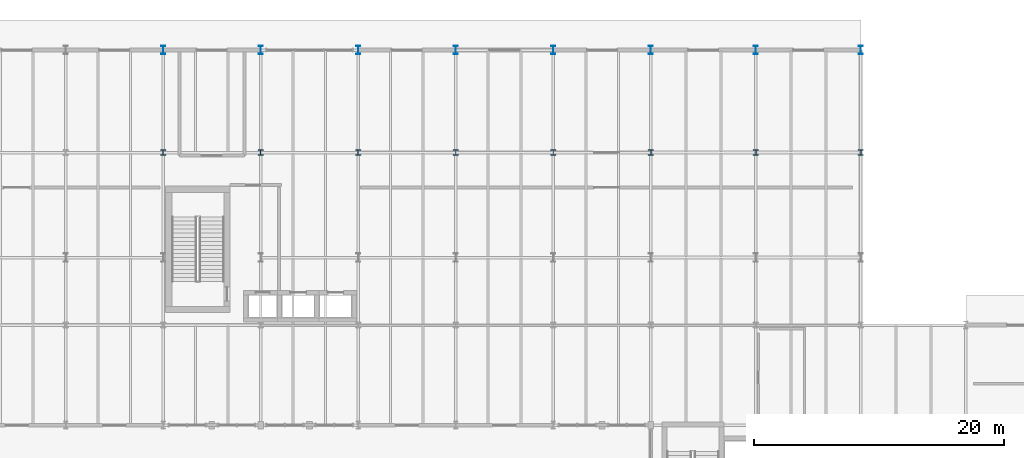
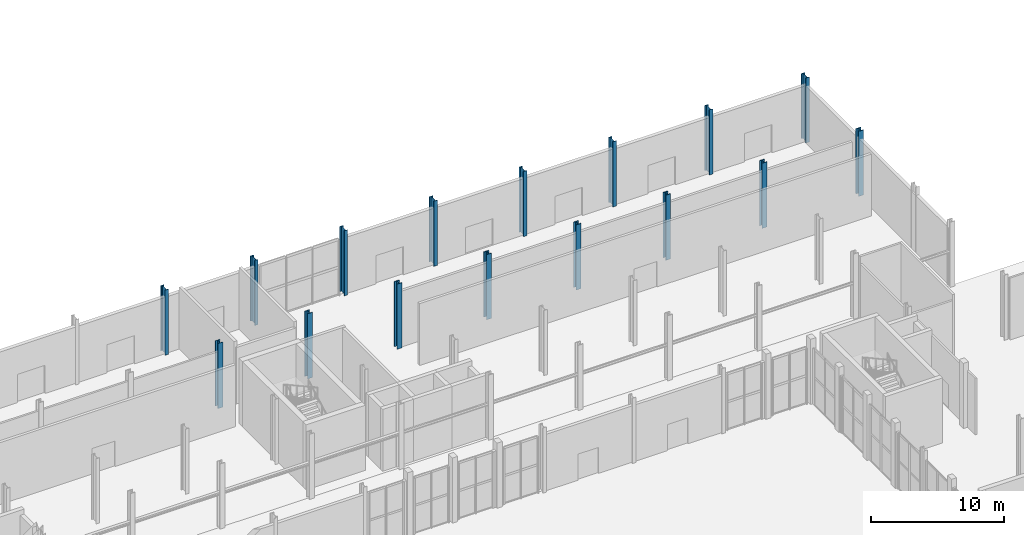
# One storey, part 13 of 84: 16 columns.
"""IFC4 building model written with IfcOpenShell, lengths in metres."""

import ifcopenshell
import ifcopenshell.guid

model = None  # the IFC model being written
_history = None  # IfcOwnerHistory: only IFC2X3 demands one
_inside = {}  # id of a spatial element -> (the spatial element, [elements in it])
_under = {}  # id of a project, library or spatial element -> (it, [spatial elements below it])
_declared = {}  # id of a project -> (the project, [libraries it declares])
_typed = {}  # id of a type object -> (the type object, [elements of that type])
_made_of = {}  # id of a material, layer set ... -> (it, [elements and type objects made of it])


def new_model(schema):
    """Start an empty IFC model of exactly this schema.

    Asked for "IFC4X3", IfcOpenShell would pick the latest addendum, in which some entities
    have other attributes; the version numbers below select the first issue.
    IFC2X3 requires an IfcOwnerHistory on every rooted entity: one is made here for all.
    """
    global model, _history
    if schema == "IFC4X3":
        model = ifcopenshell.file(schema_version=(4, 3, 0, 0))
    else:
        model = ifcopenshell.file(schema=schema)
    _inside.clear()
    _under.clear()
    _declared.clear()
    _typed.clear()
    _made_of.clear()
    _history = None
    if model.schema == "IFC2X3":
        org = make("IfcOrganization", Name="unknown")
        user = make(
            "IfcPersonAndOrganization",
            ThePerson=make("IfcPerson", FamilyName="unknown"),
            TheOrganization=org,
        )
        app = make(
            "IfcApplication",
            ApplicationDeveloper=org,
            Version="unknown",
            ApplicationFullName="unknown",
            ApplicationIdentifier="unknown",
        )
        _history = make(
            "IfcOwnerHistory",
            OwningUser=user,
            OwningApplication=app,
            ChangeAction="ADDED",
            CreationDate=0,
        )
    return model


def make(cls, **values):
    """One entity of the class cls with the attributes given. An attribute that is None is left unset."""
    return model.create_entity(
        cls, **{name: value for name, value in values.items() if value is not None}
    )


def rooted(cls, **values):
    """An entity with a GlobalId (a new one), such as an element, a storey or a relation."""
    return make(cls, GlobalId=ifcopenshell.guid.new(), OwnerHistory=_history, **values)


def si_unit(unit_type, name, prefix=None):
    """IfcSIUnit, for example si_unit("LENGTHUNIT", "METRE", prefix="MILLI")."""
    return make("IfcSIUnit", UnitType=unit_type, Prefix=prefix, Name=name)


def assignment(units):
    """IfcUnitAssignment: the units of a project."""
    return None if units is None else make("IfcUnitAssignment", Units=units)


def point(xyz):
    """IfcCartesianPoint."""
    return None if xyz is None else make("IfcCartesianPoint", Coordinates=xyz)


def direction(xyz):
    """IfcDirection."""
    return None if xyz is None else make("IfcDirection", DirectionRatios=xyz)


def frame(location, z_axis=None, x_axis=None):
    """IfcAxis2Placement3D, a coordinate frame: its origin and axes. An axis left out is left unset."""
    return make(
        "IfcAxis2Placement3D",
        Location=point(location),
        Axis=direction(z_axis),
        RefDirection=direction(x_axis),
    )


def frame_2d(location, x_axis=None):
    """IfcAxis2Placement2D, a coordinate frame in the plane: its origin and x axis."""
    return make(
        "IfcAxis2Placement2D", Location=point(location), RefDirection=direction(x_axis)
    )


def origin():
    """The frame at (0, 0, 0) with its axes left unset."""
    return frame((0.0, 0.0, 0.0))


def origin_2d():
    """The frame at (0, 0) in the plane with its x axis left unset."""
    return frame_2d((0.0, 0.0))


def place(relative_to, where):
    """IfcLocalPlacement: puts the frame where relative to a parent placement (None: the world)."""
    return make(
        "IfcLocalPlacement", PlacementRelTo=relative_to, RelativePlacement=where
    )


def context(
    kind, dimensions, precision=None, world=None, true_north=None, identifier=None
):
    """IfcGeometricRepresentationContext, for example the 3D "Model" context."""
    return make(
        "IfcGeometricRepresentationContext",
        ContextIdentifier=identifier,
        ContextType=kind,
        CoordinateSpaceDimension=dimensions,
        Precision=precision,
        WorldCoordinateSystem=world,
        TrueNorth=true_north,
    )


def subcontext(parent, identifier, kind, view, scale=None):
    """IfcGeometricRepresentationSubContext, for example "Body" below "Model"."""
    return make(
        "IfcGeometricRepresentationSubContext",
        ContextIdentifier=identifier,
        ContextType=kind,
        ParentContext=parent,
        TargetScale=scale,
        TargetView=view,
    )


def project(units=None, contexts=None):
    """IfcProject with its units and contexts."""
    return rooted(
        "IfcProject",
        Name="project",
        RepresentationContexts=contexts,
        UnitsInContext=assignment(units),
    )


def spatial(cls, under=None, at=None, **own):
    """A site, building, storey or space (cls), placed at a placement, below another one or the project."""
    s = rooted(cls, ObjectPlacement=at, **own)
    if under is not None:
        _under.setdefault(under.id(), (under, []))[1].append(s)
    return s


def profile(cls, at=None, kind="AREA", **sizes):
    """A parametric profile (cls). Its sizes go by their IFC names, for example OverallWidth=200.0."""
    return make(cls, ProfileType=kind, Position=at, **sizes)


def i_section(**sizes):
    """IfcIShapeProfileDef."""
    return profile("IfcIShapeProfileDef", **sizes)


def extrude(swept, where, along, depth):
    """IfcExtrudedAreaSolid: the profile swept, set in the frame where, extruded along a direction by depth."""
    return make(
        "IfcExtrudedAreaSolid",
        SweptArea=swept,
        Position=where,
        ExtrudedDirection=direction(along),
        Depth=depth,
    )


def shape(context_of_items, identifier, shape_type, items):
    """IfcShapeRepresentation: the items that make up one representation, for example the "Body"."""
    return make(
        "IfcShapeRepresentation",
        ContextOfItems=context_of_items,
        RepresentationIdentifier=identifier,
        RepresentationType=shape_type,
        Items=items,
    )


def material(Name=None, Category=None):
    """IfcMaterial."""
    return make("IfcMaterial", Name=Name, Category=Category)


def material_profile(
    of_material, cross_section, Name=None, Category=None, Priority=None
):
    """IfcMaterialProfile: a cross section and its material."""
    return make(
        "IfcMaterialProfile",
        Name=Name,
        Material=of_material,
        Profile=cross_section,
        Priority=Priority,
        Category=Category,
    )


def profile_set(profiles, Name=None, composite=None):
    """IfcMaterialProfileSet."""
    return make(
        "IfcMaterialProfileSet",
        Name=Name,
        MaterialProfiles=profiles,
        CompositeProfile=composite,
    )


def made_of(thing, what):
    """Note that an element or type object is made of a material, layer set ...; save() writes the relation."""
    if what is not None:
        _made_of.setdefault(what.id(), (what, []))[1].append(thing)
    return thing


def type_object(cls, material=None, **own):
    """A type object (cls), such as IfcWallType, which elements share."""
    return made_of(rooted(cls, **own), material)


def element(
    cls,
    number,
    at=None,
    inside=None,
    cuts=None,
    type_object=None,
    material=None,
    context=None,
    identifier="Body",
    shape_type=None,
    held_by="IfcProductDefinitionShape",
    body=None,
    shapes=None,
    **own,
):
    """One element of the class cls, such as IfcWall. Its Tag is "e" and its number.

    at: its placement. inside: the storey or other place that contains it. cuts: it is an
    opening in that element (IfcRelVoidsElement). A single representation is given by context,
    identifier, shape_type and body (its items); several are given by shapes. held_by: the class
    of the entity that holds the representations. save() writes the other relations.
    """
    e = rooted(cls, Tag="e%d" % number, ObjectPlacement=at, **own)
    if body is not None:
        shapes = [shape(context, identifier, shape_type, body)]
    if shapes is not None:
        e.Representation = make(held_by, Representations=shapes)
    if inside is not None:
        _inside.setdefault(inside.id(), (inside, []))[1].append(e)
    if cuts is not None:
        rooted(
            "IfcRelVoidsElement", RelatingBuildingElement=cuts, RelatedOpeningElement=e
        )
    if type_object is not None:
        _typed.setdefault(type_object.id(), (type_object, []))[1].append(e)
    return made_of(e, material)


def aggregate(whole, parts):
    """IfcRelAggregates: a whole, such as a stair, and the parts it consists of."""
    return rooted("IfcRelAggregates", RelatingObject=whole, RelatedObjects=parts)


def save(model, path):
    """Write the relations noted so far, then the file.

    IfcRelAggregates (storeys below a building ...), IfcRelContainedInSpatialStructure (elements
    in a storey), IfcRelDefinesByType, IfcRelAssociatesMaterial and IfcRelDeclares: one each for
    every whole, place, type object, material and project.
    """
    for whole, parts in _under.values():
        aggregate(whole, parts)
    for where, things in _inside.values():
        rooted(
            "IfcRelContainedInSpatialStructure",
            RelatedElements=things,
            RelatingStructure=where,
        )
    for kind, things in _typed.values():
        rooted("IfcRelDefinesByType", RelatedObjects=things, RelatingType=kind)
    for what, things in _made_of.values():
        rooted("IfcRelAssociatesMaterial", RelatedObjects=things, RelatingMaterial=what)
    for by, libraries in _declared.values():
        rooted("IfcRelDeclares", RelatingContext=by, RelatedDefinitions=libraries)
    model.write(path)


model = new_model("IFC4")

# Units and contexts
model_context = context("Model", 3, precision=1e-05, world=origin(), true_north=direction((0.0, 1.0)))
body_context = subcontext(model_context, "Body", "Model", "MODEL_VIEW")
ifc_project = project(units=[si_unit("LENGTHUNIT", "METRE"), si_unit("AREAUNIT", "SQUARE_METRE"), si_unit("VOLUMEUNIT", "CUBIC_METRE"), si_unit("PLANEANGLEUNIT", "RADIAN"), si_unit("MASSUNIT", "GRAM", prefix="KILO")], contexts=[model_context])

# Site, building, storey
site_placement = place(None, origin())
site = spatial("IfcSite", under=ifc_project, at=site_placement, CompositionType="ELEMENT")
building_placement = place(site_placement, origin())
building = spatial("IfcBuilding", under=site, at=building_placement, Name="Sefraquen Railside Congress Hotel", CompositionType="ELEMENT")
storey_placement = place(building_placement, origin())
storey = spatial("IfcBuildingStorey", under=building, at=storey_placement, Name="L00", CompositionType="ELEMENT", Elevation=0.0)

# Columns
ifc_material_1 = material(Name="Steel S355J2", Category="steel")
ifc_material_profile_1 = material_profile(ifc_material_1, i_section(OverallWidth=0.416015625, OverallDepth=0.446044921875, WebThickness=0.035888671875, FlangeThickness=0.048095703125, FilletRadius=0.014892578125, at=origin_2d()), Name="HD 400x509")
ifc_profile_set_1 = profile_set([ifc_material_profile_1], Name="Steel S355J2")
column_type_1 = type_object("IfcColumnType", Name="TC-HD-509", PredefinedType="COLUMN", material=ifc_profile_set_1)
for number, where, z_axis, x_axis, name in (
    (1, (64.199951171875, 109.800048828125, 0.0), (0.0, 0.0, 1.0), (1.0, 0.0, 0.0), "Structural column 9-P L00"),
    (2, (72.0, 109.800048828125, 0.0), (0.0, 0.0, 1.0), (1.0, 0.0, 0.0), "Structural column 10-P L00"),
    (3, (79.800048828125, 109.800048828125, 0.0), (0.0, 0.0, 1.0), (1.0, 0.0, 0.0), "Structural column 11-P L00"),
    (4, (87.60009765625, 109.800048828125, 0.0), (0.0, 0.0, 1.0), (1.0, 0.0, 0.0), "Structural column 12-P L00"),
    (5, (95.39990234375, 109.800048828125, 0.0), (0.0, 0.0, 1.0), (1.0, 0.0, 0.0), "Structural column 13-P L00"),
    (6, (103.199951171875, 109.800048828125, 0.0), (0.0, 0.0, 1.0), (1.0, 0.0, 0.0), "Structural column 14-P L00"),
    (7, (111.60009765625, 109.800048828125, 0.0), (0.0, 0.0, 1.0), (1.0, 0.0, 0.0), "Structural column 15-P L00"),
    (8, (120.0, 109.800048828125, 0.0), (0.0, 0.0, 1.0), (1.0, 0.0, 0.0), "Structural column 16-P L00"),
):
    element("IfcColumn", number, at=place(storey_placement, frame(where, z_axis=z_axis, x_axis=x_axis)), inside=storey, type_object=column_type_1, Name=name, PredefinedType="COLUMN", context=body_context, shape_type="SweptSolid", body=[
        extrude(i_section(OverallWidth=0.416015625, OverallDepth=0.446044921875, WebThickness=0.035888671875, FlangeThickness=0.048095703125, FilletRadius=0.014892578125, at=origin_2d()), origin(), (0.0, 0.0, 1.0), 6.0),
    ])
ifc_material_2 = material(Name="Steel S355JR", Category="steel")
ifc_material_profile_2 = material_profile(ifc_material_2, i_section(OverallWidth=0.300048828125, OverallDepth=0.699951171875, WebThickness=0.01708984375, FlangeThickness=0.031982421875, FilletRadius=0.027099609375, at=origin_2d()), Name="HEB 700")
ifc_profile_set_2 = profile_set([ifc_material_profile_2], Name="Steel S355JR")
column_type_2 = type_object("IfcColumnType", Name="TC-HEB-700", PredefinedType="COLUMN", material=ifc_profile_set_2)
for number, where, z_axis, x_axis, name in (
    (9, (64.199951171875, 118.0, 0.0), (0.0, 0.0, 1.0), (1.0, 0.0, 0.0), "Structural column 9-Q L00"),
    (10, (72.0, 118.0, 0.0), (0.0, 0.0, 1.0), (1.0, 0.0, 0.0), "Structural column 10-Q L00"),
    (11, (79.800048828125, 118.0, 0.0), (0.0, 0.0, 1.0), (1.0, 0.0, 0.0), "Structural column 11-Q L00"),
    (12, (87.60009765625, 118.0, 0.0), (0.0, 0.0, 1.0), (1.0, 0.0, 0.0), "Structural column 12-Q L00"),
    (13, (95.39990234375, 118.0, 0.0), (0.0, 0.0, 1.0), (1.0, 0.0, 0.0), "Structural column 13-Q L00"),
    (14, (103.199951171875, 118.0, 0.0), (0.0, 0.0, 1.0), (1.0, 0.0, 0.0), "Structural column 14-Q L00"),
    (15, (111.60009765625, 118.0, 0.0), (0.0, 0.0, 1.0), (1.0, 0.0, 0.0), "Structural column 15-Q L00"),
    (16, (120.0, 118.0, 0.0), (0.0, 0.0, 1.0), (1.0, 0.0, 0.0), "Structural column 16-Q L00"),
):
    element("IfcColumn", number, at=place(storey_placement, frame(where, z_axis=z_axis, x_axis=x_axis)), inside=storey, type_object=column_type_2, Name=name, PredefinedType="COLUMN", context=body_context, shape_type="SweptSolid", body=[
        extrude(i_section(OverallWidth=0.300048828125, OverallDepth=0.699951171875, WebThickness=0.01708984375, FlangeThickness=0.031982421875, FilletRadius=0.027099609375, at=origin_2d()), origin(), (0.0, 0.0, 1.0), 6.0),
    ])

save(model, "model.ifc")
